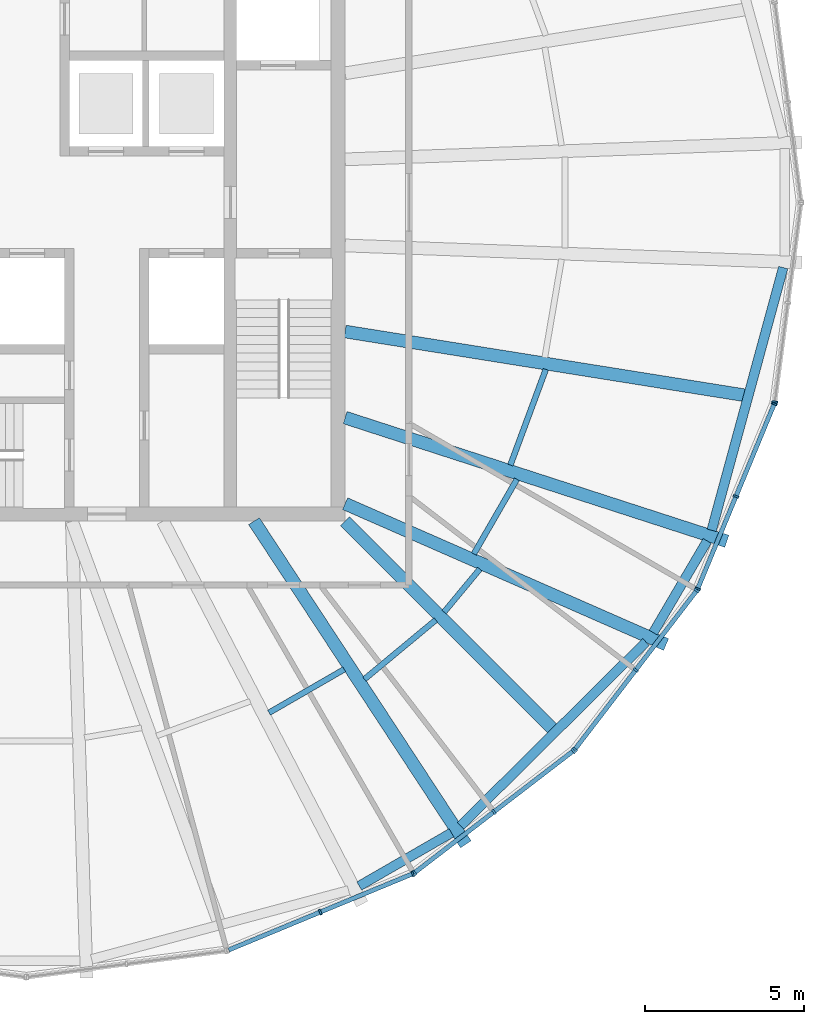
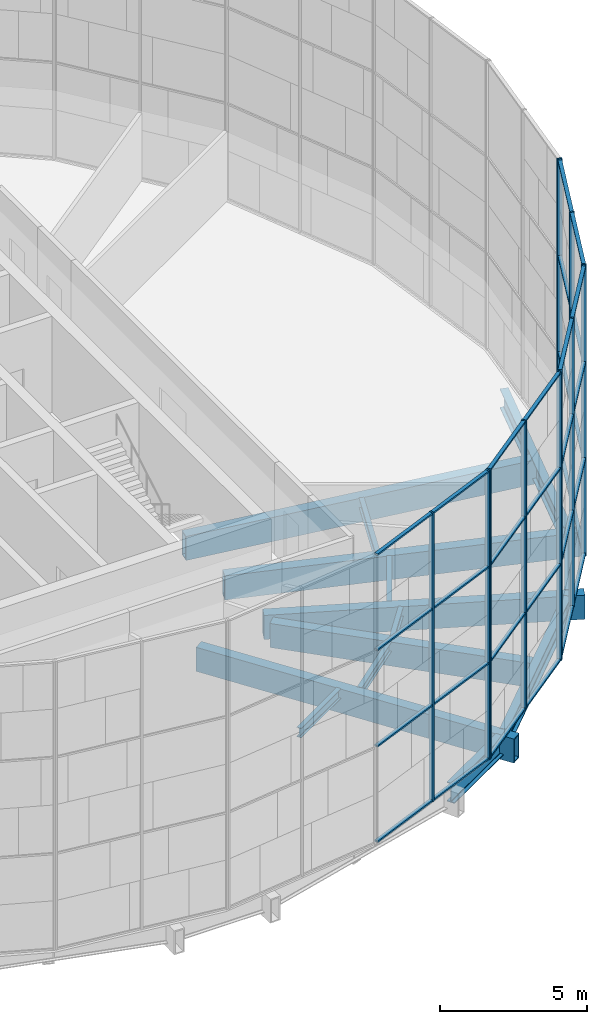
# One storey, part 4 of 22: 44 members, 14 beams, 5 elements without a shape of their own.
"""IFC4 building model written with IfcOpenShell, lengths in metres."""

from ifc_helpers import new_model, si_unit, direction, frame, origin, origin_2d, place, context, subcontext, project, spatial, rectangle, hollow_rectangle, i_section, extrude, material, material_profile, profile_set, type_object, element, aggregate, save


model = new_model("IFC4")

# Units and contexts
model_context = context("Model", 3, precision=1e-05, world=origin(), true_north=direction((0.0, 1.0)))
body_context = subcontext(model_context, "Body", "Model", "MODEL_VIEW")
ifc_project = project(units=[si_unit("LENGTHUNIT", "METRE"), si_unit("AREAUNIT", "SQUARE_METRE"), si_unit("VOLUMEUNIT", "CUBIC_METRE"), si_unit("PLANEANGLEUNIT", "RADIAN"), si_unit("MASSUNIT", "GRAM", prefix="KILO")], contexts=[model_context])

# Site, building, storey
site_placement = place(None, origin())
site = spatial("IfcSite", under=ifc_project, at=site_placement, CompositionType="ELEMENT")
building_placement = place(site_placement, origin())
building = spatial("IfcBuilding", under=site, at=building_placement, Name="Golbaran Civic Tower", CompositionType="ELEMENT")
storey_placement = place(building_placement, frame((0.0, 0.0, 155.0)))
storey = spatial("IfcBuildingStorey", under=building, at=storey_placement, Name="L37", CompositionType="ELEMENT", Elevation=155.0)

# Beams
ifc_material_1 = material(Name="Steel S355", Category="steel")
ifc_material_profile_1 = material_profile(ifc_material_1, i_section(OverallWidth=0.300048828125, OverallDepth=0.800048828125, WebThickness=0.017578125, FlangeThickness=0.032958984375, FilletRadius=0.030029296875, at=origin_2d()), Name="HEB 800")
ifc_profile_set_1 = profile_set([ifc_material_profile_1], Name="Steel S355")
beam_type_1 = type_object("IfcBeamType", Name="EDGE BEAM HEB 800", PredefinedType="BEAM", material=ifc_profile_set_1)
beam_1_placement = place(storey_placement, frame((10.44287109375, -21.443115234375, -0.60009765625), z_axis=(0.866175852343, 0.499739324867, 0.0), x_axis=(-0.499739324867, 0.866175852343, 0.0)))
element("IfcBeam", 1, at=beam_1_placement, inside=storey, type_object=beam_type_1, Name="Edge beam 295.62 L37", PredefinedType="BEAM", context=body_context, shape_type="SweptSolid", body=[
    extrude(i_section(OverallWidth=0.300048828125, OverallDepth=0.800048828125, WebThickness=0.017578125, FlangeThickness=0.032958984375, FilletRadius=0.030029296875, at=origin_2d()), origin(), (0.0, 0.0, 1.0), 3.340576171875),
])
beam_2_placement = place(storey_placement, frame((13.623046875, -19.55419921875, -0.60009765625), z_axis=(0.709963262307, 0.704238713913, 0.0), x_axis=(-0.704238713913, 0.709963262307, 0.0)))
element("IfcBeam", 2, at=beam_2_placement, inside=storey, type_object=beam_type_1, Name="Edge beam 304.38 L37", PredefinedType="BEAM", context=body_context, shape_type="SweptSolid", body=[
    extrude(i_section(OverallWidth=0.300048828125, OverallDepth=0.800048828125, WebThickness=0.017578125, FlangeThickness=0.032958984375, FilletRadius=0.030029296875, at=origin_2d()), origin(), (0.0, 0.0, 1.0), 8.1884765625),
])
beam_3_placement = place(storey_placement, frame((19.665771484375, -13.4951171875, -0.60009765625), z_axis=(0.506674807094, 0.862137251171, 0.0), x_axis=(-0.862137251171, 0.506674807094, 0.0)))
element("IfcBeam", 3, at=beam_3_placement, inside=storey, type_object=beam_type_1, Name="Edge beam 325.62 L37", PredefinedType="BEAM", context=body_context, shape_type="SweptSolid", body=[
    extrude(i_section(OverallWidth=0.300048828125, OverallDepth=0.800048828125, WebThickness=0.017578125, FlangeThickness=0.032958984375, FilletRadius=0.030029296875, at=origin_2d()), origin(), (0.0, 0.0, 1.0), 3.33740234375),
])
beam_4_placement = place(storey_placement, frame((21.497314453125, -10.28515625, -0.60009765625), z_axis=(0.262832022744, 0.964841607633, 0.0), x_axis=(-0.964841607633, 0.262832022744, 0.0)))
element("IfcBeam", 4, at=beam_4_placement, inside=storey, type_object=beam_type_1, Name="Edge beam 334.38 L37", PredefinedType="BEAM", context=body_context, shape_type="SweptSolid", body=[
    extrude(i_section(OverallWidth=0.300048828125, OverallDepth=0.800048828125, WebThickness=0.017578125, FlangeThickness=0.032958984375, FilletRadius=0.030029296875, at=origin_2d()), origin(), (0.0, 0.0, 1.0), 8.5419921875),
])
ifc_material_profile_2 = material_profile(ifc_material_1, i_section(OverallWidth=0.179931640625, OverallDepth=0.39990234375, WebThickness=0.008544921875, FlangeThickness=0.013427734375, FilletRadius=0.02099609375, at=origin_2d()), Name="IPE 400")
ifc_profile_set_2 = profile_set([ifc_material_profile_2], Name="Steel S355")
beam_type_2 = type_object("IfcBeamType", Name="FLOOR INFILL BEAM IPE 400", PredefinedType="BEAM", material=ifc_profile_set_2)
beam_5_placement = place(storey_placement, frame((7.6142578125, -16.007080078125, -0.39990234375), z_axis=(0.866022906543, 0.500004325324, 0.0), x_axis=(-0.500004325324, 0.866022906543, 0.0)))
element("IfcBeam", 5, at=beam_5_placement, inside=storey, type_object=beam_type_2, Name="Infill beam 300.00 L37", PredefinedType="BEAM", context=body_context, shape_type="SweptSolid", body=[
    extrude(i_section(OverallWidth=0.179931640625, OverallDepth=0.39990234375, WebThickness=0.008544921875, FlangeThickness=0.013427734375, FilletRadius=0.02099609375, at=origin_2d()), origin(), (0.0, 0.0, 1.0), 2.72412109375),
])
beam_6_placement = place(storey_placement, frame((10.607177734375, -14.954833984375, -0.39990234375), z_axis=(0.769541494955, 0.63859681141, 0.0), x_axis=(-0.63859681141, 0.769541494955, 0.0)))
element("IfcBeam", 6, at=beam_6_placement, inside=storey, type_object=beam_type_2, Name="Infill beam 309.69 L37", PredefinedType="BEAM", context=body_context, shape_type="SweptSolid", body=[
    extrude(i_section(OverallWidth=0.179931640625, OverallDepth=0.39990234375, WebThickness=0.008544921875, FlangeThickness=0.013427734375, FilletRadius=0.02099609375, at=origin_2d()), origin(), (0.0, 0.0, 1.0), 2.90673828125),
])
beam_7_placement = place(storey_placement, frame((13.10498046875, -12.850341796875, -0.39990234375), z_axis=(0.63856720713, 0.769566060828, 0.0), x_axis=(-0.769566060828, 0.63856720713, 0.0)))
element("IfcBeam", 7, at=beam_7_placement, inside=storey, type_object=beam_type_2, Name="Infill beam 320.31 L37", PredefinedType="BEAM", context=body_context, shape_type="SweptSolid", body=[
    extrude(i_section(OverallWidth=0.179931640625, OverallDepth=0.39990234375, WebThickness=0.008544921875, FlangeThickness=0.013427734375, FilletRadius=0.02099609375, at=origin_2d()), origin(), (0.0, 0.0, 1.0), 1.753662109375),
])
beam_8_placement = place(storey_placement, frame((14.037841796875, -11.025390625, -0.39990234375), z_axis=(0.499996136155, 0.866027634565, 0.0), x_axis=(-0.866027634565, 0.499996136155, 0.0)))
element("IfcBeam", 8, at=beam_8_placement, inside=storey, type_object=beam_type_2, Name="Infill beam 330.00 L37", PredefinedType="BEAM", context=body_context, shape_type="SweptSolid", body=[
    extrude(i_section(OverallWidth=0.179931640625, OverallDepth=0.39990234375, WebThickness=0.008544921875, FlangeThickness=0.013427734375, FilletRadius=0.02099609375, at=origin_2d()), origin(), (0.0, 0.0, 1.0), 2.70263671875),
])
beam_9_placement = place(storey_placement, frame((15.183837890625, -8.239990234375, -0.39990234375), z_axis=(0.3471181857, 0.937821392993, 0.0), x_axis=(-0.937821392993, 0.3471181857, 0.0)))
element("IfcBeam", 9, at=beam_9_placement, inside=storey, type_object=beam_type_2, Name="Infill beam 339.69 L37", PredefinedType="BEAM", context=body_context, shape_type="SweptSolid", body=[
    extrude(i_section(OverallWidth=0.179931640625, OverallDepth=0.39990234375, WebThickness=0.008544921875, FlangeThickness=0.013427734375, FilletRadius=0.02099609375, at=origin_2d()), origin(), (0.0, 0.0, 1.0), 3.202392578125),
])

# Curtain wall, members
ifc_material_2 = material(Name="Aluminium and glass", Category="aluminium")
curtain_wall_type = type_object("IfcCurtainWallType", Name="INNER SKIN CURTAIN WALL", PredefinedType="NOTDEFINED", material=ifc_material_2)
curtain_wall_1_placement = place(storey_placement, origin())
curtain_wall_1 = element("IfcCurtainWall", 10, at=curtain_wall_1_placement, inside=storey, type_object=curtain_wall_type, Name="Inner skin L37 facet 20 CW1", ObjectType="INNER SKIN", PredefinedType="USERDEFINED")
ifc_material_3 = material(Name="Aluminium", Category="aluminium")
ifc_material_profile_3 = material_profile(ifc_material_3, rectangle(XDim=0.179931640625, YDim=0.06494140625, at=origin_2d()), Name="INNER SKIN CURTAIN WALL MULLION")
ifc_profile_set_3 = profile_set([ifc_material_profile_3], Name="Aluminium")
member_type_1 = type_object("IfcMemberType", Name="INNER SKIN CURTAIN WALL MULLION", PredefinedType="MULLION", material=ifc_profile_set_3)
member_1_placement = place(storey_placement, frame((9.220458984375, -22.260009765625, 0.0), z_axis=(0.0, 0.0, 1.0), x_axis=(-0.382683432268, 0.923879532551, 0.0)))
member_1 = element("IfcMember", 11, at=member_1_placement, type_object=member_type_1, Name="CW1 mullion 2", PredefinedType="MULLION", context=body_context, shape_type="SweptSolid", body=[
    extrude(rectangle(XDim=0.179931640625, YDim=0.06494140625, at=origin_2d()), origin(), (0.0, 0.0, 1.0), 12.0),
])
member_2_placement = place(storey_placement, frame((12.12109375, -21.05859375, 0.0), z_axis=(0.0, 0.0, 1.0), x_axis=(-0.382683432268, 0.923879532551, 0.0)))
member_2 = element("IfcMember", 12, at=member_2_placement, type_object=member_type_1, Name="CW1 mullion 3", PredefinedType="MULLION", context=body_context, shape_type="SweptSolid", body=[
    extrude(rectangle(XDim=0.179931640625, YDim=0.06494140625, at=origin_2d()), origin(), (0.0, 0.0, 1.0), 12.0),
])

curtain_wall_2_placement = place(storey_placement, origin())
curtain_wall_2 = element("IfcCurtainWall", 13, at=curtain_wall_2_placement, inside=storey, type_object=curtain_wall_type, Name="Inner skin L37 facet 21 CW1", ObjectType="INNER SKIN", PredefinedType="USERDEFINED")
member_3_placement = place(storey_placement, frame((12.1767578125, -21.0263671875, 0.0), z_axis=(0.0, 0.0, 1.0), x_axis=(-0.608761429106, 0.793353340217, 0.0)))
member_3 = element("IfcMember", 14, at=member_3_placement, type_object=member_type_1, Name="CW1 mullion 1", PredefinedType="MULLION", context=body_context, shape_type="SweptSolid", body=[
    extrude(rectangle(XDim=0.179931640625, YDim=0.06494140625, at=origin_2d()), origin(), (0.0, 0.0, 1.0), 12.0),
])
member_4_placement = place(storey_placement, frame((14.66748046875, -19.115234375, 0.0), z_axis=(0.0, 0.0, 1.0), x_axis=(-0.608761429106, 0.793353340217, 0.0)))
member_4 = element("IfcMember", 15, at=member_4_placement, type_object=member_type_1, Name="CW1 mullion 2", PredefinedType="MULLION", context=body_context, shape_type="SweptSolid", body=[
    extrude(rectangle(XDim=0.179931640625, YDim=0.06494140625, at=origin_2d()), origin(), (0.0, 0.0, 1.0), 12.0),
])
member_5_placement = place(storey_placement, frame((17.158203125, -17.203857421875, 0.0), z_axis=(0.0, 0.0, 1.0), x_axis=(-0.608761429106, 0.793353340217, 0.0)))
member_5 = element("IfcMember", 16, at=member_5_placement, type_object=member_type_1, Name="CW1 mullion 3", PredefinedType="MULLION", context=body_context, shape_type="SweptSolid", body=[
    extrude(rectangle(XDim=0.179931640625, YDim=0.06494140625, at=origin_2d()), origin(), (0.0, 0.0, 1.0), 12.0),
])

curtain_wall_3_placement = place(storey_placement, origin())
curtain_wall_3 = element("IfcCurtainWall", 17, at=curtain_wall_3_placement, inside=storey, type_object=curtain_wall_type, Name="Inner skin L37 facet 22 CW1", ObjectType="INNER SKIN", PredefinedType="USERDEFINED")
member_6_placement = place(storey_placement, frame((17.203857421875, -17.158203125, 0.0), z_axis=(0.0, 0.0, 1.0), x_axis=(-0.793353340217, 0.608761429106, 0.0)))
member_6 = element("IfcMember", 18, at=member_6_placement, type_object=member_type_1, Name="CW1 mullion 1", PredefinedType="MULLION", context=body_context, shape_type="SweptSolid", body=[
    extrude(rectangle(XDim=0.179931640625, YDim=0.06494140625, at=origin_2d()), origin(), (0.0, 0.0, 1.0), 12.0),
])
member_7_placement = place(storey_placement, frame((19.115234375, -14.66748046875, 0.0), z_axis=(0.0, 0.0, 1.0), x_axis=(-0.793353340217, 0.608761429106, 0.0)))
member_7 = element("IfcMember", 19, at=member_7_placement, type_object=member_type_1, Name="CW1 mullion 2", PredefinedType="MULLION", context=body_context, shape_type="SweptSolid", body=[
    extrude(rectangle(XDim=0.179931640625, YDim=0.06494140625, at=origin_2d()), origin(), (0.0, 0.0, 1.0), 12.0),
])
member_8_placement = place(storey_placement, frame((21.0263671875, -12.1767578125, 0.0), z_axis=(0.0, 0.0, 1.0), x_axis=(-0.793353340217, 0.608761429106, 0.0)))
member_8 = element("IfcMember", 20, at=member_8_placement, type_object=member_type_1, Name="CW1 mullion 3", PredefinedType="MULLION", context=body_context, shape_type="SweptSolid", body=[
    extrude(rectangle(XDim=0.179931640625, YDim=0.06494140625, at=origin_2d()), origin(), (0.0, 0.0, 1.0), 12.0),
])

curtain_wall_4_placement = place(storey_placement, origin())
curtain_wall_4 = element("IfcCurtainWall", 21, at=curtain_wall_4_placement, inside=storey, type_object=curtain_wall_type, Name="Inner skin L37 facet 23 CW1", ObjectType="INNER SKIN", PredefinedType="USERDEFINED")
member_9_placement = place(storey_placement, frame((21.05859375, -12.12109375, 0.0), z_axis=(0.0, 0.0, 1.0), x_axis=(-0.923879532551, 0.382683432268, 0.0)))
member_9 = element("IfcMember", 22, at=member_9_placement, type_object=member_type_1, Name="CW1 mullion 1", PredefinedType="MULLION", context=body_context, shape_type="SweptSolid", body=[
    extrude(rectangle(XDim=0.179931640625, YDim=0.06494140625, at=origin_2d()), origin(), (0.0, 0.0, 1.0), 12.0),
])
member_10_placement = place(storey_placement, frame((22.260009765625, -9.220458984375, 0.0), z_axis=(0.0, 0.0, 1.0), x_axis=(-0.923879532551, 0.382683432268, 0.0)))
member_10 = element("IfcMember", 23, at=member_10_placement, type_object=member_type_1, Name="CW1 mullion 2", PredefinedType="MULLION", context=body_context, shape_type="SweptSolid", body=[
    extrude(rectangle(XDim=0.179931640625, YDim=0.06494140625, at=origin_2d()), origin(), (0.0, 0.0, 1.0), 12.0),
])
member_11_placement = place(storey_placement, frame((23.46142578125, -6.31982421875, 0.0), z_axis=(0.0, 0.0, 1.0), x_axis=(-0.923879532551, 0.382683432268, 0.0)))
member_11 = element("IfcMember", 24, at=member_11_placement, type_object=member_type_1, Name="CW1 mullion 3", PredefinedType="MULLION", context=body_context, shape_type="SweptSolid", body=[
    extrude(rectangle(XDim=0.179931640625, YDim=0.06494140625, at=origin_2d()), origin(), (0.0, 0.0, 1.0), 12.0),
])

# Curtain wall, member
curtain_wall_5_placement = place(storey_placement, origin())
curtain_wall_5 = element("IfcCurtainWall", 25, at=curtain_wall_5_placement, inside=storey, type_object=curtain_wall_type, Name="Inner skin L37 facet 24 CW1", ObjectType="INNER SKIN", PredefinedType="USERDEFINED")
member_12_placement = place(storey_placement, frame((23.478271484375, -6.257568359375, 0.0), z_axis=(0.0, 0.0, 1.0), x_axis=(-0.991444861365, 0.130526192289, 0.0)))
member_12 = element("IfcMember", 26, at=member_12_placement, type_object=member_type_1, Name="CW1 mullion 1", PredefinedType="MULLION", context=body_context, shape_type="SweptSolid", body=[
    extrude(rectangle(XDim=0.179931640625, YDim=0.06494140625, at=origin_2d()), origin(), (0.0, 0.0, 1.0), 12.0),
])
aggregate(curtain_wall_5, [member_12])

# Member
ifc_material_profile_4 = material_profile(ifc_material_3, rectangle(XDim=0.139892578125, YDim=0.06494140625, at=origin_2d()), Name="INNER SKIN CURTAIN WALL TRANSOM")
ifc_profile_set_4 = profile_set([ifc_material_profile_4], Name="Aluminium")
member_type_2 = type_object("IfcMemberType", Name="INNER SKIN CURTAIN WALL TRANSOM", PredefinedType="USERDEFINED", material=ifc_profile_set_4)
member_13_placement = place(storey_placement, frame((6.349853515625, -23.448974609375, 0.032470703125), z_axis=(0.923890054359, 0.38265802939, 0.0), x_axis=(-0.38265802939, 0.923890054359, 0.0)))
member_13 = element("IfcMember", 27, at=member_13_placement, type_object=member_type_2, Name="CW1 transom 1.1", ObjectType="TRANSOM", PredefinedType="USERDEFINED", context=body_context, shape_type="SweptSolid", body=[
    extrude(rectangle(XDim=0.139892578125, YDim=0.06494140625, at=origin_2d()), origin(), (0.0, 0.0, 1.0), 3.074462890625),
])

member_14_placement = place(storey_placement, frame((6.349853515625, -23.448974609375, 4.0), z_axis=(0.923890054359, 0.38265802939, 0.0), x_axis=(-0.38265802939, 0.923890054359, 0.0)))
member_14 = element("IfcMember", 28, at=member_14_placement, type_object=member_type_2, Name="CW1 transom 1.2", ObjectType="TRANSOM", PredefinedType="USERDEFINED", context=body_context, shape_type="SweptSolid", body=[
    extrude(rectangle(XDim=0.139892578125, YDim=0.06494140625, at=origin_2d()), origin(), (0.0, 0.0, 1.0), 3.074462890625),
])

member_15_placement = place(storey_placement, frame((6.349853515625, -23.448974609375, 8.0), z_axis=(0.923890054359, 0.38265802939, 0.0), x_axis=(-0.38265802939, 0.923890054359, 0.0)))
member_15 = element("IfcMember", 29, at=member_15_placement, type_object=member_type_2, Name="CW1 transom 1.3", ObjectType="TRANSOM", PredefinedType="USERDEFINED", context=body_context, shape_type="SweptSolid", body=[
    extrude(rectangle(XDim=0.139892578125, YDim=0.06494140625, at=origin_2d()), origin(), (0.0, 0.0, 1.0), 3.074462890625),
])

member_16_placement = place(storey_placement, frame((6.349853515625, -23.448974609375, 11.967529296875), z_axis=(0.923890054359, 0.38265802939, 0.0), x_axis=(-0.38265802939, 0.923890054359, 0.0)))
member_16 = element("IfcMember", 30, at=member_16_placement, type_object=member_type_2, Name="CW1 transom 1.4", ObjectType="TRANSOM", PredefinedType="USERDEFINED", context=body_context, shape_type="SweptSolid", body=[
    extrude(rectangle(XDim=0.139892578125, YDim=0.06494140625, at=origin_2d()), origin(), (0.0, 0.0, 1.0), 3.074462890625),
])

member_17_placement = place(storey_placement, frame((9.25048828125, -22.24755859375, 0.032470703125), z_axis=(0.923890054359, 0.38265802939, 0.0), x_axis=(-0.38265802939, 0.923890054359, 0.0)))
member_17 = element("IfcMember", 31, at=member_17_placement, type_object=member_type_2, Name="CW1 transom 2.1", ObjectType="TRANSOM", PredefinedType="USERDEFINED", context=body_context, shape_type="SweptSolid", body=[
    extrude(rectangle(XDim=0.139892578125, YDim=0.06494140625, at=origin_2d()), origin(), (0.0, 0.0, 1.0), 3.074462890625),
])

member_18_placement = place(storey_placement, frame((9.25048828125, -22.24755859375, 4.0), z_axis=(0.923890054359, 0.38265802939, 0.0), x_axis=(-0.38265802939, 0.923890054359, 0.0)))
member_18 = element("IfcMember", 32, at=member_18_placement, type_object=member_type_2, Name="CW1 transom 2.2", ObjectType="TRANSOM", PredefinedType="USERDEFINED", context=body_context, shape_type="SweptSolid", body=[
    extrude(rectangle(XDim=0.139892578125, YDim=0.06494140625, at=origin_2d()), origin(), (0.0, 0.0, 1.0), 3.074462890625),
])

member_19_placement = place(storey_placement, frame((9.25048828125, -22.24755859375, 8.0), z_axis=(0.923890054359, 0.38265802939, 0.0), x_axis=(-0.38265802939, 0.923890054359, 0.0)))
member_19 = element("IfcMember", 33, at=member_19_placement, type_object=member_type_2, Name="CW1 transom 2.3", ObjectType="TRANSOM", PredefinedType="USERDEFINED", context=body_context, shape_type="SweptSolid", body=[
    extrude(rectangle(XDim=0.139892578125, YDim=0.06494140625, at=origin_2d()), origin(), (0.0, 0.0, 1.0), 3.074462890625),
])

member_20_placement = place(storey_placement, frame((9.25048828125, -22.24755859375, 11.967529296875), z_axis=(0.923890054359, 0.38265802939, 0.0), x_axis=(-0.38265802939, 0.923890054359, 0.0)))
member_20 = element("IfcMember", 34, at=member_20_placement, type_object=member_type_2, Name="CW1 transom 2.4", ObjectType="TRANSOM", PredefinedType="USERDEFINED", context=body_context, shape_type="SweptSolid", body=[
    extrude(rectangle(XDim=0.139892578125, YDim=0.06494140625, at=origin_2d()), origin(), (0.0, 0.0, 1.0), 3.074462890625),
])

aggregate(curtain_wall_1, [member_1, member_2, member_13, member_14, member_15, member_16, member_17, member_18, member_19, member_20])

member_21_placement = place(storey_placement, frame((12.20263671875, -21.006591796875, 0.032470703125), z_axis=(0.793367297505, 0.608743239182, 0.0), x_axis=(-0.608743239182, 0.793367297505, 0.0)))
member_21 = element("IfcMember", 35, at=member_21_placement, type_object=member_type_2, Name="CW1 transom 1.1", ObjectType="TRANSOM", PredefinedType="USERDEFINED", context=body_context, shape_type="SweptSolid", body=[
    extrude(rectangle(XDim=0.139892578125, YDim=0.06494140625, at=origin_2d()), origin(), (0.0, 0.0, 1.0), 3.074462890625),
])

member_22_placement = place(storey_placement, frame((12.20263671875, -21.006591796875, 4.0), z_axis=(0.793367297505, 0.608743239182, 0.0), x_axis=(-0.608743239182, 0.793367297505, 0.0)))
member_22 = element("IfcMember", 36, at=member_22_placement, type_object=member_type_2, Name="CW1 transom 1.2", ObjectType="TRANSOM", PredefinedType="USERDEFINED", context=body_context, shape_type="SweptSolid", body=[
    extrude(rectangle(XDim=0.139892578125, YDim=0.06494140625, at=origin_2d()), origin(), (0.0, 0.0, 1.0), 3.074462890625),
])

member_23_placement = place(storey_placement, frame((12.20263671875, -21.006591796875, 8.0), z_axis=(0.793367297505, 0.608743239182, 0.0), x_axis=(-0.608743239182, 0.793367297505, 0.0)))
member_23 = element("IfcMember", 37, at=member_23_placement, type_object=member_type_2, Name="CW1 transom 1.3", ObjectType="TRANSOM", PredefinedType="USERDEFINED", context=body_context, shape_type="SweptSolid", body=[
    extrude(rectangle(XDim=0.139892578125, YDim=0.06494140625, at=origin_2d()), origin(), (0.0, 0.0, 1.0), 3.074462890625),
])

member_24_placement = place(storey_placement, frame((12.20263671875, -21.006591796875, 11.967529296875), z_axis=(0.793367297505, 0.608743239182, 0.0), x_axis=(-0.608743239182, 0.793367297505, 0.0)))
member_24 = element("IfcMember", 38, at=member_24_placement, type_object=member_type_2, Name="CW1 transom 1.4", ObjectType="TRANSOM", PredefinedType="USERDEFINED", context=body_context, shape_type="SweptSolid", body=[
    extrude(rectangle(XDim=0.139892578125, YDim=0.06494140625, at=origin_2d()), origin(), (0.0, 0.0, 1.0), 3.074462890625),
])

member_25_placement = place(storey_placement, frame((14.693359375, -19.095458984375, 0.032470703125), z_axis=(0.793328947041, 0.608793217592, 0.0), x_axis=(-0.608793217592, 0.793328947041, 0.0)))
member_25 = element("IfcMember", 39, at=member_25_placement, type_object=member_type_2, Name="CW1 transom 2.1", ObjectType="TRANSOM", PredefinedType="USERDEFINED", context=body_context, shape_type="SweptSolid", body=[
    extrude(rectangle(XDim=0.139892578125, YDim=0.06494140625, at=origin_2d()), origin(), (0.0, 0.0, 1.0), 3.07470703125),
])

member_26_placement = place(storey_placement, frame((14.693359375, -19.095458984375, 4.0), z_axis=(0.793328947041, 0.608793217592, 0.0), x_axis=(-0.608793217592, 0.793328947041, 0.0)))
member_26 = element("IfcMember", 40, at=member_26_placement, type_object=member_type_2, Name="CW1 transom 2.2", ObjectType="TRANSOM", PredefinedType="USERDEFINED", context=body_context, shape_type="SweptSolid", body=[
    extrude(rectangle(XDim=0.139892578125, YDim=0.06494140625, at=origin_2d()), origin(), (0.0, 0.0, 1.0), 3.07470703125),
])

member_27_placement = place(storey_placement, frame((14.693359375, -19.095458984375, 8.0), z_axis=(0.793328947041, 0.608793217592, 0.0), x_axis=(-0.608793217592, 0.793328947041, 0.0)))
member_27 = element("IfcMember", 41, at=member_27_placement, type_object=member_type_2, Name="CW1 transom 2.3", ObjectType="TRANSOM", PredefinedType="USERDEFINED", context=body_context, shape_type="SweptSolid", body=[
    extrude(rectangle(XDim=0.139892578125, YDim=0.06494140625, at=origin_2d()), origin(), (0.0, 0.0, 1.0), 3.07470703125),
])

member_28_placement = place(storey_placement, frame((14.693359375, -19.095458984375, 11.967529296875), z_axis=(0.793328947041, 0.608793217592, 0.0), x_axis=(-0.608793217592, 0.793328947041, 0.0)))
member_28 = element("IfcMember", 42, at=member_28_placement, type_object=member_type_2, Name="CW1 transom 2.4", ObjectType="TRANSOM", PredefinedType="USERDEFINED", context=body_context, shape_type="SweptSolid", body=[
    extrude(rectangle(XDim=0.139892578125, YDim=0.06494140625, at=origin_2d()), origin(), (0.0, 0.0, 1.0), 3.07470703125),
])

aggregate(curtain_wall_2, [member_3, member_4, member_5, member_21, member_22, member_23, member_24, member_25, member_26, member_27, member_28])

member_29_placement = place(storey_placement, frame((17.2236328125, -17.132568359375, 0.032470703125), z_axis=(0.608793217592, 0.793328947041, 0.0), x_axis=(-0.793328947041, 0.608793217592, 0.0)))
member_29 = element("IfcMember", 43, at=member_29_placement, type_object=member_type_2, Name="CW1 transom 1.1", ObjectType="TRANSOM", PredefinedType="USERDEFINED", context=body_context, shape_type="SweptSolid", body=[
    extrude(rectangle(XDim=0.139892578125, YDim=0.06494140625, at=origin_2d()), origin(), (0.0, 0.0, 1.0), 3.07470703125),
])

member_30_placement = place(storey_placement, frame((17.2236328125, -17.132568359375, 4.0), z_axis=(0.608793217592, 0.793328947041, 0.0), x_axis=(-0.793328947041, 0.608793217592, 0.0)))
member_30 = element("IfcMember", 44, at=member_30_placement, type_object=member_type_2, Name="CW1 transom 1.2", ObjectType="TRANSOM", PredefinedType="USERDEFINED", context=body_context, shape_type="SweptSolid", body=[
    extrude(rectangle(XDim=0.139892578125, YDim=0.06494140625, at=origin_2d()), origin(), (0.0, 0.0, 1.0), 3.07470703125),
])

member_31_placement = place(storey_placement, frame((17.2236328125, -17.132568359375, 8.0), z_axis=(0.608793217592, 0.793328947041, 0.0), x_axis=(-0.793328947041, 0.608793217592, 0.0)))
member_31 = element("IfcMember", 45, at=member_31_placement, type_object=member_type_2, Name="CW1 transom 1.3", ObjectType="TRANSOM", PredefinedType="USERDEFINED", context=body_context, shape_type="SweptSolid", body=[
    extrude(rectangle(XDim=0.139892578125, YDim=0.06494140625, at=origin_2d()), origin(), (0.0, 0.0, 1.0), 3.07470703125),
])

member_32_placement = place(storey_placement, frame((17.2236328125, -17.132568359375, 11.967529296875), z_axis=(0.608793217592, 0.793328947041, 0.0), x_axis=(-0.793328947041, 0.608793217592, 0.0)))
member_32 = element("IfcMember", 46, at=member_32_placement, type_object=member_type_2, Name="CW1 transom 1.4", ObjectType="TRANSOM", PredefinedType="USERDEFINED", context=body_context, shape_type="SweptSolid", body=[
    extrude(rectangle(XDim=0.139892578125, YDim=0.06494140625, at=origin_2d()), origin(), (0.0, 0.0, 1.0), 3.07470703125),
])

member_33_placement = place(storey_placement, frame((19.135009765625, -14.641845703125, 0.032470703125), z_axis=(0.608743239182, 0.793367297505, 0.0), x_axis=(-0.793367297505, 0.608743239182, 0.0)))
member_33 = element("IfcMember", 47, at=member_33_placement, type_object=member_type_2, Name="CW1 transom 2.1", ObjectType="TRANSOM", PredefinedType="USERDEFINED", context=body_context, shape_type="SweptSolid", body=[
    extrude(rectangle(XDim=0.139892578125, YDim=0.06494140625, at=origin_2d()), origin(), (0.0, 0.0, 1.0), 3.074462890625),
])

member_34_placement = place(storey_placement, frame((19.135009765625, -14.641845703125, 4.0), z_axis=(0.608743239182, 0.793367297505, 0.0), x_axis=(-0.793367297505, 0.608743239182, 0.0)))
member_34 = element("IfcMember", 48, at=member_34_placement, type_object=member_type_2, Name="CW1 transom 2.2", ObjectType="TRANSOM", PredefinedType="USERDEFINED", context=body_context, shape_type="SweptSolid", body=[
    extrude(rectangle(XDim=0.139892578125, YDim=0.06494140625, at=origin_2d()), origin(), (0.0, 0.0, 1.0), 3.074462890625),
])

member_35_placement = place(storey_placement, frame((19.135009765625, -14.641845703125, 8.0), z_axis=(0.608743239182, 0.793367297505, 0.0), x_axis=(-0.793367297505, 0.608743239182, 0.0)))
member_35 = element("IfcMember", 49, at=member_35_placement, type_object=member_type_2, Name="CW1 transom 2.3", ObjectType="TRANSOM", PredefinedType="USERDEFINED", context=body_context, shape_type="SweptSolid", body=[
    extrude(rectangle(XDim=0.139892578125, YDim=0.06494140625, at=origin_2d()), origin(), (0.0, 0.0, 1.0), 3.074462890625),
])

member_36_placement = place(storey_placement, frame((19.135009765625, -14.641845703125, 11.967529296875), z_axis=(0.608743239182, 0.793367297505, 0.0), x_axis=(-0.793367297505, 0.608743239182, 0.0)))
member_36 = element("IfcMember", 50, at=member_36_placement, type_object=member_type_2, Name="CW1 transom 2.4", ObjectType="TRANSOM", PredefinedType="USERDEFINED", context=body_context, shape_type="SweptSolid", body=[
    extrude(rectangle(XDim=0.139892578125, YDim=0.06494140625, at=origin_2d()), origin(), (0.0, 0.0, 1.0), 3.074462890625),
])

aggregate(curtain_wall_3, [member_6, member_7, member_8, member_29, member_30, member_31, member_32, member_33, member_34, member_35, member_36])

member_37_placement = place(storey_placement, frame((21.071044921875, -12.091064453125, 0.032470703125), z_axis=(0.38265802939, 0.923890054359, 0.0), x_axis=(-0.923890054359, 0.38265802939, 0.0)))
member_37 = element("IfcMember", 51, at=member_37_placement, type_object=member_type_2, Name="CW1 transom 1.1", ObjectType="TRANSOM", PredefinedType="USERDEFINED", context=body_context, shape_type="SweptSolid", body=[
    extrude(rectangle(XDim=0.139892578125, YDim=0.06494140625, at=origin_2d()), origin(), (0.0, 0.0, 1.0), 3.074462890625),
])

member_38_placement = place(storey_placement, frame((21.071044921875, -12.091064453125, 4.0), z_axis=(0.38265802939, 0.923890054359, 0.0), x_axis=(-0.923890054359, 0.38265802939, 0.0)))
member_38 = element("IfcMember", 52, at=member_38_placement, type_object=member_type_2, Name="CW1 transom 1.2", ObjectType="TRANSOM", PredefinedType="USERDEFINED", context=body_context, shape_type="SweptSolid", body=[
    extrude(rectangle(XDim=0.139892578125, YDim=0.06494140625, at=origin_2d()), origin(), (0.0, 0.0, 1.0), 3.074462890625),
])

member_39_placement = place(storey_placement, frame((21.071044921875, -12.091064453125, 8.0), z_axis=(0.38265802939, 0.923890054359, 0.0), x_axis=(-0.923890054359, 0.38265802939, 0.0)))
member_39 = element("IfcMember", 53, at=member_39_placement, type_object=member_type_2, Name="CW1 transom 1.3", ObjectType="TRANSOM", PredefinedType="USERDEFINED", context=body_context, shape_type="SweptSolid", body=[
    extrude(rectangle(XDim=0.139892578125, YDim=0.06494140625, at=origin_2d()), origin(), (0.0, 0.0, 1.0), 3.074462890625),
])

member_40_placement = place(storey_placement, frame((21.071044921875, -12.091064453125, 11.967529296875), z_axis=(0.38265802939, 0.923890054359, 0.0), x_axis=(-0.923890054359, 0.38265802939, 0.0)))
member_40 = element("IfcMember", 54, at=member_40_placement, type_object=member_type_2, Name="CW1 transom 1.4", ObjectType="TRANSOM", PredefinedType="USERDEFINED", context=body_context, shape_type="SweptSolid", body=[
    extrude(rectangle(XDim=0.139892578125, YDim=0.06494140625, at=origin_2d()), origin(), (0.0, 0.0, 1.0), 3.074462890625),
])

member_41_placement = place(storey_placement, frame((22.2724609375, -9.1904296875, 0.032470703125), z_axis=(0.38265802939, 0.923890054359, 0.0), x_axis=(-0.923890054359, 0.38265802939, 0.0)))
member_41 = element("IfcMember", 55, at=member_41_placement, type_object=member_type_2, Name="CW1 transom 2.1", ObjectType="TRANSOM", PredefinedType="USERDEFINED", context=body_context, shape_type="SweptSolid", body=[
    extrude(rectangle(XDim=0.139892578125, YDim=0.06494140625, at=origin_2d()), origin(), (0.0, 0.0, 1.0), 3.074462890625),
])

member_42_placement = place(storey_placement, frame((22.2724609375, -9.1904296875, 4.0), z_axis=(0.38265802939, 0.923890054359, 0.0), x_axis=(-0.923890054359, 0.38265802939, 0.0)))
member_42 = element("IfcMember", 56, at=member_42_placement, type_object=member_type_2, Name="CW1 transom 2.2", ObjectType="TRANSOM", PredefinedType="USERDEFINED", context=body_context, shape_type="SweptSolid", body=[
    extrude(rectangle(XDim=0.139892578125, YDim=0.06494140625, at=origin_2d()), origin(), (0.0, 0.0, 1.0), 3.074462890625),
])

member_43_placement = place(storey_placement, frame((22.2724609375, -9.1904296875, 8.0), z_axis=(0.38265802939, 0.923890054359, 0.0), x_axis=(-0.923890054359, 0.38265802939, 0.0)))
member_43 = element("IfcMember", 57, at=member_43_placement, type_object=member_type_2, Name="CW1 transom 2.3", ObjectType="TRANSOM", PredefinedType="USERDEFINED", context=body_context, shape_type="SweptSolid", body=[
    extrude(rectangle(XDim=0.139892578125, YDim=0.06494140625, at=origin_2d()), origin(), (0.0, 0.0, 1.0), 3.074462890625),
])

member_44_placement = place(storey_placement, frame((22.2724609375, -9.1904296875, 11.967529296875), z_axis=(0.38265802939, 0.923890054359, 0.0), x_axis=(-0.923890054359, 0.38265802939, 0.0)))
member_44 = element("IfcMember", 58, at=member_44_placement, type_object=member_type_2, Name="CW1 transom 2.4", ObjectType="TRANSOM", PredefinedType="USERDEFINED", context=body_context, shape_type="SweptSolid", body=[
    extrude(rectangle(XDim=0.139892578125, YDim=0.06494140625, at=origin_2d()), origin(), (0.0, 0.0, 1.0), 3.074462890625),
])

aggregate(curtain_wall_4, [member_9, member_10, member_11, member_37, member_38, member_39, member_40, member_41, member_42, member_43, member_44])

# Beams
ifc_material_profile_5 = material_profile(ifc_material_1, hollow_rectangle(XDim=0.39990234375, YDim=1.0, WallThickness=0.050048828125, at=origin_2d()), Name="BOX 1000x400x50")
ifc_profile_set_5 = profile_set([ifc_material_profile_5], Name="Steel S355")
beam_type_3 = type_object("IfcBeamType", Name="RADIAL FLOOR BEAM BOX 1000x400x50", PredefinedType="BEAM", material=ifc_profile_set_5)
beam_10_placement = place(storey_placement, frame((7.142822265625, -10.0, -0.7099609375), z_axis=(0.548342642764, -0.836253757018, 0.0), x_axis=(0.836253757018, 0.548342642764, 0.0)))
element("IfcBeam", 59, at=beam_10_placement, inside=storey, type_object=beam_type_3, Name="Radial beam 304.38 L37", PredefinedType="BEAM", context=body_context, shape_type="SweptSolid", body=[
    extrude(hollow_rectangle(XDim=0.39990234375, YDim=1.0, WallThickness=0.050048828125, at=origin_2d()), origin(), (0.0, 0.0, 1.0), 12.118408203125),
])
beam_11_placement = place(storey_placement, frame((10.0, -9.449951171875, -0.7099609375), z_axis=(0.915699635691, -0.401863381256, 0.0), x_axis=(0.401863381256, 0.915699635691, 0.0)))
element("IfcBeam", 60, at=beam_11_placement, inside=storey, type_object=beam_type_3, Name="Radial beam 325.62 L37", PredefinedType="BEAM", context=body_context, shape_type="SweptSolid", body=[
    extrude(hollow_rectangle(XDim=0.39990234375, YDim=1.0, WallThickness=0.050048828125, at=origin_2d()), origin(), (0.0, 0.0, 1.0), 10.99560546875),
])
beam_12_placement = place(storey_placement, frame((10.0, -6.75, -0.7099609375), z_axis=(0.951333518501, -0.30816316551, 0.0), x_axis=(0.30816316551, 0.951333518501, 0.0)))
element("IfcBeam", 61, at=beam_12_placement, inside=storey, type_object=beam_type_3, Name="Radial beam 334.38 L37", PredefinedType="BEAM", context=body_context, shape_type="SweptSolid", body=[
    extrude(hollow_rectangle(XDim=0.39990234375, YDim=1.0, WallThickness=0.050048828125, at=origin_2d()), origin(), (0.0, 0.0, 1.0), 12.587158203125),
])
ifc_material_profile_6 = material_profile(ifc_material_1, hollow_rectangle(XDim=0.39990234375, YDim=1.0, WallThickness=0.0400390625, at=origin_2d()), Name="BOX 1000x400x40")
ifc_profile_set_6 = profile_set([ifc_material_profile_6], Name="Steel S355")
beam_type_4 = type_object("IfcBeamType", Name="SECONDARY FLOOR BEAM BOX 1000x400x40", PredefinedType="BEAM", material=ifc_profile_set_6)
beam_13_placement = place(storey_placement, frame((10.0, -10.0, -0.7099609375), z_axis=(0.707106781187, -0.707106781187, 0.0), x_axis=(0.707106781187, 0.707106781187, 0.0)))
element("IfcBeam", 62, at=beam_13_placement, inside=storey, type_object=beam_type_4, Name="Secondary beam 315.00 L37", PredefinedType="BEAM", context=body_context, shape_type="SweptSolid", body=[
    extrude(hollow_rectangle(XDim=0.39990234375, YDim=1.0, WallThickness=0.0400390625, at=origin_2d()), origin(), (0.0, 0.0, 1.0), 9.334716796875),
])
beam_14_placement = place(storey_placement, frame((10.0, -4.050048828125, -0.7099609375), z_axis=(0.987505503488, -0.157584518848, 0.0), x_axis=(0.157584518848, 0.987505503488, 0.0)))
element("IfcBeam", 63, at=beam_14_placement, inside=storey, type_object=beam_type_4, Name="Secondary beam 345.00 L37", PredefinedType="BEAM", context=body_context, shape_type="SweptSolid", body=[
    extrude(hollow_rectangle(XDim=0.39990234375, YDim=1.0, WallThickness=0.0400390625, at=origin_2d()), origin(), (0.0, 0.0, 1.0), 12.80615234375),
])

save(model, "model.ifc")
